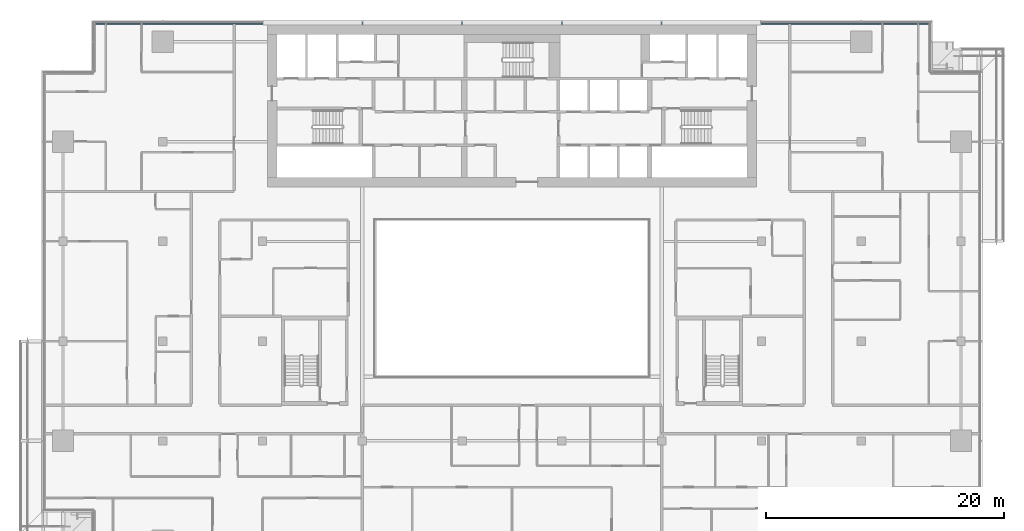
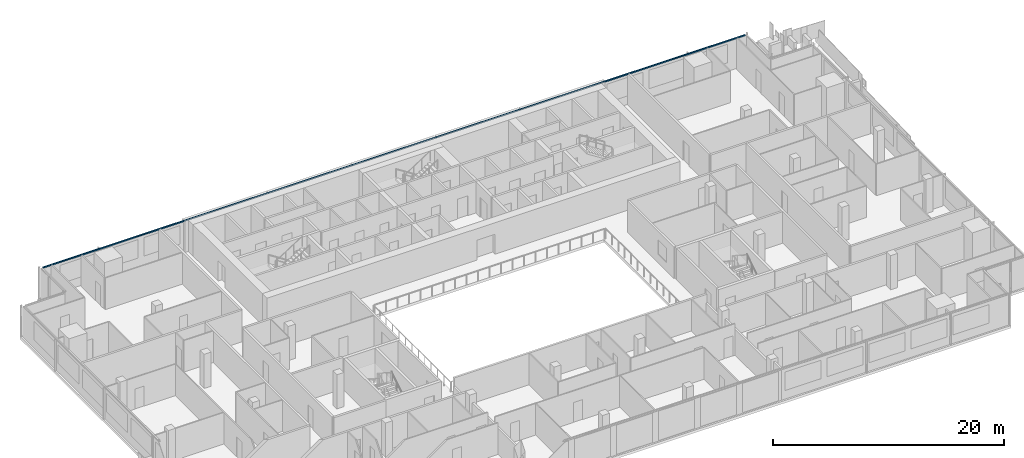
# One storey, part 8 of 29: 1 member, 1 element without a shape of its own.
"""IFC4 building model written with IfcOpenShell, lengths in metres."""

import ifcopenshell
import ifcopenshell.guid

model = None  # the IFC model being written
_history = None  # IfcOwnerHistory: only IFC2X3 demands one
_inside = {}  # id of a spatial element -> (the spatial element, [elements in it])
_under = {}  # id of a project, library or spatial element -> (it, [spatial elements below it])
_declared = {}  # id of a project -> (the project, [libraries it declares])
_typed = {}  # id of a type object -> (the type object, [elements of that type])
_made_of = {}  # id of a material, layer set ... -> (it, [elements and type objects made of it])


def new_model(schema):
    """Start an empty IFC model of exactly this schema.

    Asked for "IFC4X3", IfcOpenShell would pick the latest addendum, in which some entities
    have other attributes; the version numbers below select the first issue.
    IFC2X3 requires an IfcOwnerHistory on every rooted entity: one is made here for all.
    """
    global model, _history
    if schema == "IFC4X3":
        model = ifcopenshell.file(schema_version=(4, 3, 0, 0))
    else:
        model = ifcopenshell.file(schema=schema)
    _inside.clear()
    _under.clear()
    _declared.clear()
    _typed.clear()
    _made_of.clear()
    _history = None
    if model.schema == "IFC2X3":
        org = make("IfcOrganization", Name="unknown")
        user = make(
            "IfcPersonAndOrganization",
            ThePerson=make("IfcPerson", FamilyName="unknown"),
            TheOrganization=org,
        )
        app = make(
            "IfcApplication",
            ApplicationDeveloper=org,
            Version="unknown",
            ApplicationFullName="unknown",
            ApplicationIdentifier="unknown",
        )
        _history = make(
            "IfcOwnerHistory",
            OwningUser=user,
            OwningApplication=app,
            ChangeAction="ADDED",
            CreationDate=0,
        )
    return model


def make(cls, **values):
    """One entity of the class cls with the attributes given. An attribute that is None is left unset."""
    return model.create_entity(
        cls, **{name: value for name, value in values.items() if value is not None}
    )


def rooted(cls, **values):
    """An entity with a GlobalId (a new one), such as an element, a storey or a relation."""
    return make(cls, GlobalId=ifcopenshell.guid.new(), OwnerHistory=_history, **values)


def si_unit(unit_type, name, prefix=None):
    """IfcSIUnit, for example si_unit("LENGTHUNIT", "METRE", prefix="MILLI")."""
    return make("IfcSIUnit", UnitType=unit_type, Prefix=prefix, Name=name)


def assignment(units):
    """IfcUnitAssignment: the units of a project."""
    return None if units is None else make("IfcUnitAssignment", Units=units)


def point(xyz):
    """IfcCartesianPoint."""
    return None if xyz is None else make("IfcCartesianPoint", Coordinates=xyz)


def direction(xyz):
    """IfcDirection."""
    return None if xyz is None else make("IfcDirection", DirectionRatios=xyz)


def frame(location, z_axis=None, x_axis=None):
    """IfcAxis2Placement3D, a coordinate frame: its origin and axes. An axis left out is left unset."""
    return make(
        "IfcAxis2Placement3D",
        Location=point(location),
        Axis=direction(z_axis),
        RefDirection=direction(x_axis),
    )


def frame_2d(location, x_axis=None):
    """IfcAxis2Placement2D, a coordinate frame in the plane: its origin and x axis."""
    return make(
        "IfcAxis2Placement2D", Location=point(location), RefDirection=direction(x_axis)
    )


def origin():
    """The frame at (0, 0, 0) with its axes left unset."""
    return frame((0.0, 0.0, 0.0))


def origin_2d():
    """The frame at (0, 0) in the plane with its x axis left unset."""
    return frame_2d((0.0, 0.0))


def place(relative_to, where):
    """IfcLocalPlacement: puts the frame where relative to a parent placement (None: the world)."""
    return make(
        "IfcLocalPlacement", PlacementRelTo=relative_to, RelativePlacement=where
    )


def context(
    kind, dimensions, precision=None, world=None, true_north=None, identifier=None
):
    """IfcGeometricRepresentationContext, for example the 3D "Model" context."""
    return make(
        "IfcGeometricRepresentationContext",
        ContextIdentifier=identifier,
        ContextType=kind,
        CoordinateSpaceDimension=dimensions,
        Precision=precision,
        WorldCoordinateSystem=world,
        TrueNorth=true_north,
    )


def subcontext(parent, identifier, kind, view, scale=None):
    """IfcGeometricRepresentationSubContext, for example "Body" below "Model"."""
    return make(
        "IfcGeometricRepresentationSubContext",
        ContextIdentifier=identifier,
        ContextType=kind,
        ParentContext=parent,
        TargetScale=scale,
        TargetView=view,
    )


def project(units=None, contexts=None):
    """IfcProject with its units and contexts."""
    return rooted(
        "IfcProject",
        Name="project",
        RepresentationContexts=contexts,
        UnitsInContext=assignment(units),
    )


def spatial(cls, under=None, at=None, **own):
    """A site, building, storey or space (cls), placed at a placement, below another one or the project."""
    s = rooted(cls, ObjectPlacement=at, **own)
    if under is not None:
        _under.setdefault(under.id(), (under, []))[1].append(s)
    return s


def profile(cls, at=None, kind="AREA", **sizes):
    """A parametric profile (cls). Its sizes go by their IFC names, for example OverallWidth=200.0."""
    return make(cls, ProfileType=kind, Position=at, **sizes)


def rectangle(**sizes):
    """IfcRectangleProfileDef."""
    return profile("IfcRectangleProfileDef", **sizes)


def extrude(swept, where, along, depth):
    """IfcExtrudedAreaSolid: the profile swept, set in the frame where, extruded along a direction by depth."""
    return make(
        "IfcExtrudedAreaSolid",
        SweptArea=swept,
        Position=where,
        ExtrudedDirection=direction(along),
        Depth=depth,
    )


def shape(context_of_items, identifier, shape_type, items):
    """IfcShapeRepresentation: the items that make up one representation, for example the "Body"."""
    return make(
        "IfcShapeRepresentation",
        ContextOfItems=context_of_items,
        RepresentationIdentifier=identifier,
        RepresentationType=shape_type,
        Items=items,
    )


def material(Name=None, Category=None):
    """IfcMaterial."""
    return make("IfcMaterial", Name=Name, Category=Category)


def material_profile(
    of_material, cross_section, Name=None, Category=None, Priority=None
):
    """IfcMaterialProfile: a cross section and its material."""
    return make(
        "IfcMaterialProfile",
        Name=Name,
        Material=of_material,
        Profile=cross_section,
        Priority=Priority,
        Category=Category,
    )


def profile_set(profiles, Name=None, composite=None):
    """IfcMaterialProfileSet."""
    return make(
        "IfcMaterialProfileSet",
        Name=Name,
        MaterialProfiles=profiles,
        CompositeProfile=composite,
    )


def made_of(thing, what):
    """Note that an element or type object is made of a material, layer set ...; save() writes the relation."""
    if what is not None:
        _made_of.setdefault(what.id(), (what, []))[1].append(thing)
    return thing


def type_object(cls, material=None, **own):
    """A type object (cls), such as IfcWallType, which elements share."""
    return made_of(rooted(cls, **own), material)


def element(
    cls,
    number,
    at=None,
    inside=None,
    cuts=None,
    type_object=None,
    material=None,
    context=None,
    identifier="Body",
    shape_type=None,
    held_by="IfcProductDefinitionShape",
    body=None,
    shapes=None,
    **own,
):
    """One element of the class cls, such as IfcWall. Its Tag is "e" and its number.

    at: its placement. inside: the storey or other place that contains it. cuts: it is an
    opening in that element (IfcRelVoidsElement). A single representation is given by context,
    identifier, shape_type and body (its items); several are given by shapes. held_by: the class
    of the entity that holds the representations. save() writes the other relations.
    """
    e = rooted(cls, Tag="e%d" % number, ObjectPlacement=at, **own)
    if body is not None:
        shapes = [shape(context, identifier, shape_type, body)]
    if shapes is not None:
        e.Representation = make(held_by, Representations=shapes)
    if inside is not None:
        _inside.setdefault(inside.id(), (inside, []))[1].append(e)
    if cuts is not None:
        rooted(
            "IfcRelVoidsElement", RelatingBuildingElement=cuts, RelatedOpeningElement=e
        )
    if type_object is not None:
        _typed.setdefault(type_object.id(), (type_object, []))[1].append(e)
    return made_of(e, material)


def aggregate(whole, parts):
    """IfcRelAggregates: a whole, such as a stair, and the parts it consists of."""
    return rooted("IfcRelAggregates", RelatingObject=whole, RelatedObjects=parts)


def save(model, path):
    """Write the relations noted so far, then the file.

    IfcRelAggregates (storeys below a building ...), IfcRelContainedInSpatialStructure (elements
    in a storey), IfcRelDefinesByType, IfcRelAssociatesMaterial and IfcRelDeclares: one each for
    every whole, place, type object, material and project.
    """
    for whole, parts in _under.values():
        aggregate(whole, parts)
    for where, things in _inside.values():
        rooted(
            "IfcRelContainedInSpatialStructure",
            RelatedElements=things,
            RelatingStructure=where,
        )
    for kind, things in _typed.values():
        rooted("IfcRelDefinesByType", RelatedObjects=things, RelatingType=kind)
    for what, things in _made_of.values():
        rooted("IfcRelAssociatesMaterial", RelatedObjects=things, RelatingMaterial=what)
    for by, libraries in _declared.values():
        rooted("IfcRelDeclares", RelatingContext=by, RelatedDefinitions=libraries)
    model.write(path)


model = new_model("IFC4")

# Units and contexts
model_context = context("Model", 3, precision=1e-05, world=origin(), true_north=direction((0.0, 1.0)))
body_context = subcontext(model_context, "Body", "Model", "MODEL_VIEW")
ifc_project = project(units=[si_unit("LENGTHUNIT", "METRE"), si_unit("AREAUNIT", "SQUARE_METRE"), si_unit("VOLUMEUNIT", "CUBIC_METRE"), si_unit("PLANEANGLEUNIT", "RADIAN"), si_unit("MASSUNIT", "GRAM", prefix="KILO")], contexts=[model_context])

# Site, building, storey
site_placement = place(None, origin())
site = spatial("IfcSite", under=ifc_project, at=site_placement, CompositionType="ELEMENT")
building_placement = place(site_placement, origin())
building = spatial("IfcBuilding", under=site, at=building_placement, Name="Saffron Gate Tower", CompositionType="ELEMENT")
storey_placement = place(building_placement, frame((0.0, 0.0, 187.050048828125)))
storey = spatial("IfcBuildingStorey", under=building, at=storey_placement, Name="L46", CompositionType="ELEMENT", Elevation=187.050048828125)

# Curtain wall, member
ifc_material = material(Name="Aluminium, bronze anodised", Category="aluminium")
curtain_wall_type = type_object("IfcCurtainWallType", Name="CWS3 curtain wall rear facade", PredefinedType="NOTDEFINED", material=ifc_material)
curtain_wall_placement = place(storey_placement, origin())
curtain_wall = element("IfcCurtainWall", 1, at=curtain_wall_placement, inside=storey, type_object=curtain_wall_type, Name="CWS3 run 7", PredefinedType="NOTDEFINED")
ifc_material_profile = material_profile(ifc_material, rectangle(XDim=0.1201171875, YDim=0.1201171875, at=origin_2d()))
ifc_profile_set = profile_set([ifc_material_profile], Name="Aluminium, bronze anodised")
member_type = type_object("IfcMemberType", Name="CWS3 head transom", PredefinedType="USERDEFINED", material=ifc_profile_set)
member_placement = place(storey_placement, frame((122.632080078125, 75.35205078125, 3.260009765625), z_axis=(-1.0, 0.0, 0.0), x_axis=(0.0, -1.0, 0.0)))
member = element("IfcMember", 2, at=member_placement, type_object=member_type, Name="CWS3 head transom", ObjectType="TRANSOM", PredefinedType="USERDEFINED", context=body_context, shape_type="SweptSolid", body=[
    extrude(rectangle(XDim=0.1201171875, YDim=0.1201171875, at=origin_2d()), origin(), (0.0, 0.0, 1.0), 70.06396484375),
])
aggregate(curtain_wall, [member])

save(model, "model.ifc")
